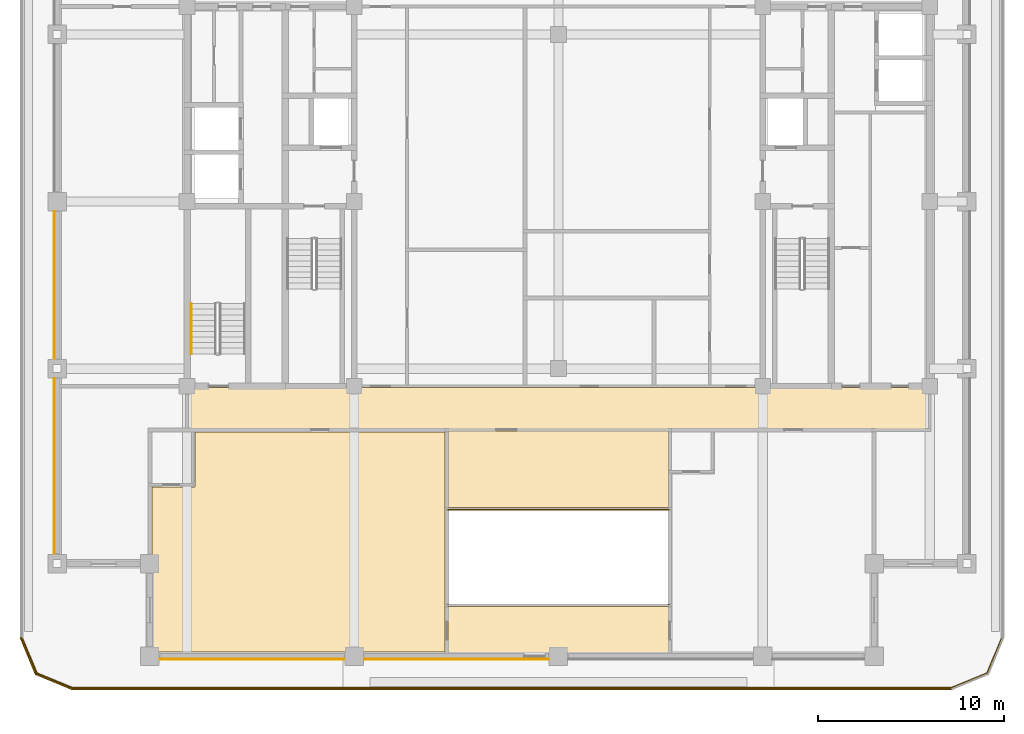
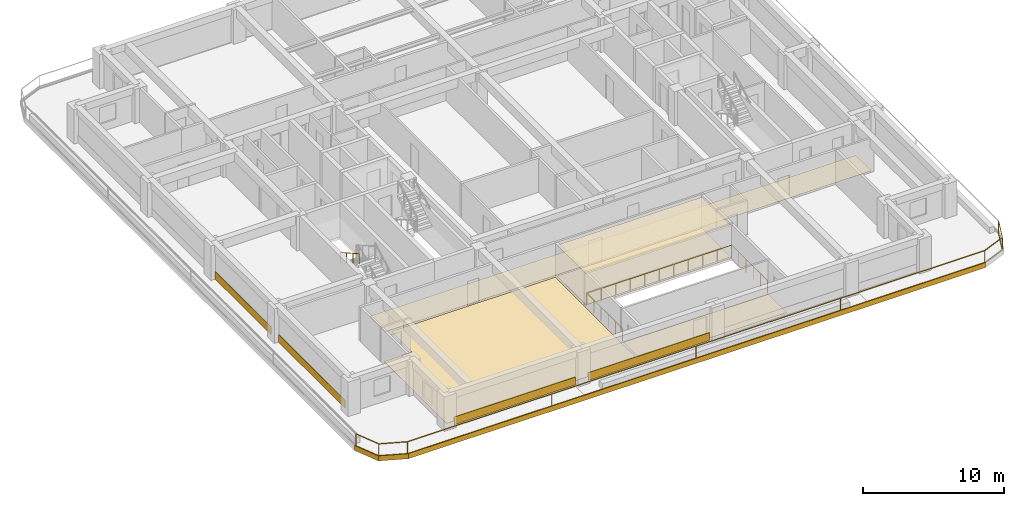
# One storey, part 7 of 13: 12 coverings, 3 railings.
"""IFC4 building model written with IfcOpenShell, lengths in metres."""

from ifc_helpers import new_model, si_unit, direction, frame, frame_2d, origin, origin_2d, place, context, subcontext, project, spatial, polyline, rectangle, outline, extrude, material, layer, layer_set, type_object, element, save


model = new_model("IFC4")

# Units and contexts
model_context = context("Model", 3, precision=1e-05, world=origin(), true_north=direction((0.0, 1.0)))
body_context = subcontext(model_context, "Body", "Model", "MODEL_VIEW")
ifc_project = project(units=[si_unit("LENGTHUNIT", "METRE"), si_unit("AREAUNIT", "SQUARE_METRE"), si_unit("VOLUMEUNIT", "CUBIC_METRE"), si_unit("PLANEANGLEUNIT", "RADIAN"), si_unit("MASSUNIT", "GRAM", prefix="KILO")], contexts=[model_context])

# Site, building, storey
site_placement = place(None, origin())
site = spatial("IfcSite", under=ifc_project, at=site_placement, CompositionType="ELEMENT")
building_placement = place(site_placement, origin())
building = spatial("IfcBuilding", under=site, at=building_placement, Name="Zulmaris Gate Convention Tower", CompositionType="ELEMENT")
storey_placement = place(building_placement, frame((0.0, 0.0, 218.659912109375)))
storey = spatial("IfcBuildingStorey", under=building, at=storey_placement, Name="L57", CompositionType="ELEMENT", Elevation=218.659912109375)

# Coverings
ifc_material_1 = material(Name="Precast concrete C40/50", Category="concrete")
ifc_layer_1 = layer(ifc_material_1, 0.0400390625, Name="Precast concrete C40/50")
ifc_layer_set_1 = layer_set([ifc_layer_1], Name="Precast concrete C40/50")
covering_type_1 = type_object("IfcCoveringType", Name="CLAD-SPANDREL-PRECAST", PredefinedType="CLADDING", material=ifc_layer_set_1)
for number, where, z_axis, x_axis, name in (
    (1, (-21.469970703125, -24.64990234375, 0.0), (0.0, 0.0, 1.0), (1.0, 0.0, 0.0), "CLD-L57-S-0_0"),
    (2, (-10.469970703125, -24.64990234375, 0.0), (0.0, 0.0, 1.0), (1.0, 0.0, 0.0), "CLD-L57-S-1_0"),
):
    element("IfcCovering", number, at=place(storey_placement, frame(where, z_axis=z_axis, x_axis=x_axis)), inside=storey, type_object=covering_type_1, Name=name, PredefinedType="CLADDING", context=body_context, shape_type="SweptSolid", body=[
        extrude(rectangle(XDim=9.93994140625, YDim=0.0400390625, at=frame_2d((4.969970703125, 0.0))), origin(), (0.0, 0.0, 1.0), 0.679931640625),
    ])
covering_1_placement = place(storey_placement, frame((-27.14990234375, -9.530029296875, 0.0), z_axis=(0.0, 0.0, 1.0), x_axis=(0.0, -1.0, 0.0)))
element("IfcCovering", 3, at=covering_1_placement, inside=storey, type_object=covering_type_1, Name="CLD-L57-W-0_0", PredefinedType="CLADDING", context=body_context, shape_type="SweptSolid", body=[
    extrude(rectangle(XDim=9.43994140625, YDim=0.0400390625, at=frame_2d((4.719970703125, 0.0))), origin(), (0.0, 0.0, 1.0), 0.679931640625),
])
covering_2_placement = place(storey_placement, frame((-27.14990234375, -0.530029296875, 0.0), z_axis=(0.0, 0.0, 1.0), x_axis=(0.0, -1.0, 0.0)))
element("IfcCovering", 4, at=covering_2_placement, inside=storey, type_object=covering_type_1, Name="CLD-L57-W-1_0", PredefinedType="CLADDING", context=body_context, shape_type="SweptSolid", body=[
    extrude(rectangle(XDim=7.93994140625, YDim=0.0400390625, at=frame_2d((3.969970703125, 0.0))), origin(), (0.0, 0.0, 1.0), 0.679931640625),
])
ifc_material_2 = material(Name="White Glazed Architectural Precast Concrete C40/50", Category="concrete")
ifc_layer_2 = layer(ifc_material_2, 0.080078125, Name="White Glazed Architectural Precast Concrete C40/50")
ifc_layer_set_2 = layer_set([ifc_layer_2], Name="White Glazed Architectural Precast Concrete C40/50")
covering_type_2 = type_object("IfcCoveringType", Name="CLAD-TRAY-FASCIA", PredefinedType="CLADDING", material=ifc_layer_set_2)
covering_3_placement = place(storey_placement, frame((-28.962890625, -23.484619140625, -0.2900390625), z_axis=(0.0, 0.0, 1.0), x_axis=(0.382656984709, -0.923890487046, 0.0)))
element("IfcCovering", 5, at=covering_3_placement, inside=storey, type_object=covering_type_2, Name="FSC-L57-TR-00", PredefinedType="CLADDING", context=body_context, shape_type="SweptSolid", body=[
    extrude(rectangle(XDim=2.14306640625, YDim=0.080078125, at=frame_2d((1.071533203125, 0.0))), origin(), (0.0, 0.0, 1.0), 0.43994140625),
])
covering_4_placement = place(storey_placement, frame((-28.16455078125, -25.44287109375, -0.2900390625), z_axis=(0.0, 0.0, 1.0), x_axis=(0.923873803533, -0.382697263049, 0.0)))
element("IfcCovering", 6, at=covering_4_placement, inside=storey, type_object=covering_type_2, Name="FSC-L57-TR-01", PredefinedType="CLADDING", context=body_context, shape_type="SweptSolid", body=[
    extrude(rectangle(XDim=2.142822265625, YDim=0.080078125, at=frame_2d((1.0712890625, 0.0))), origin(), (0.0, 0.0, 1.0), 0.43994140625),
])
covering_5_placement = place(storey_placement, frame((-26.199951171875, -26.260009765625, -0.2900390625), z_axis=(0.0, 0.0, 1.0), x_axis=(1.0, 0.0, 0.0)))
element("IfcCovering", 7, at=covering_5_placement, inside=storey, type_object=covering_type_2, Name="FSC-L57-TR-02", PredefinedType="CLADDING", context=body_context, shape_type="SweptSolid", body=[
    extrude(rectangle(XDim=47.39990234375, YDim=0.080078125, at=frame_2d((23.699951171875, 0.0))), origin(), (0.0, 0.0, 1.0), 0.43994140625),
])
ifc_material_3 = material(Name="Mineral Fibre Acoustic Ceiling Tile")
ifc_layer_3 = layer(ifc_material_3, 0.02001953125, Name="Mineral Fibre Acoustic Ceiling Tile")
ifc_layer_set_3 = layer_set([ifc_layer_3], Name="Mineral Fibre Acoustic Ceiling Tile")
covering_type_3 = type_object("IfcCoveringType", Name="CLG-ACOUSTIC-600", PredefinedType="CEILING", material=ifc_layer_set_3)
covering_6_placement = place(storey_placement, frame((0.0, 0.0, 2.695068359375)))
element("IfcCovering", 8, at=covering_6_placement, inside=storey, type_object=covering_type_3, Name="CLG-L57-R43", PredefinedType="CEILING", context=body_context, shape_type="SweptSolid", body=[
    extrude(outline(polyline([(-5.93994140625, -16.489990234375), (5.93994140625, -16.489990234375), (5.93994140625, -12.360107421875), (-5.93994140625, -12.360107421875), (-5.93994140625, -16.489990234375)])), origin(), (0.0, 0.0, 1.0), 0.02001953125),
])
ifc_material_4 = material(Name="Woven Acoustic Wool Carpet Tile")
ifc_layer_4 = layer(ifc_material_4, 0.02001953125, Name="Woven Acoustic Wool Carpet Tile")
ifc_layer_set_4 = layer_set([ifc_layer_4], Name="Woven Acoustic Wool Carpet Tile")
covering_type_4 = type_object("IfcCoveringType", Name="FLR-CARPET-12", PredefinedType="FLOORING", material=ifc_layer_set_4)
covering_7_placement = place(storey_placement, origin())
element("IfcCovering", 9, at=covering_7_placement, inside=storey, type_object=covering_type_4, Name="FLR-L57-R33", PredefinedType="FLOORING", context=body_context, shape_type="SweptSolid", body=[
    extrude(outline(polyline([(-19.93994140625, -12.239990234375), (19.93994140625, -12.239990234375), (19.93994140625, -10.010009765625), (-19.93994140625, -10.010009765625), (-19.93994140625, -12.239990234375)])), origin(), (0.0, 0.0, 1.0), 0.02001953125),
])
ifc_material_5 = material(Name="Engineered Teak Parquet Flooring")
ifc_layer_5 = layer(ifc_material_5, 0.02001953125, Name="Engineered Teak Parquet Flooring")
ifc_layer_set_5 = layer_set([ifc_layer_5], Name="Engineered Teak Parquet Flooring")
covering_type_5 = type_object("IfcCoveringType", Name="FLR-TIMBER-18", PredefinedType="FLOORING", material=ifc_layer_set_5)
covering_8_placement = place(storey_placement, origin())
element("IfcCovering", 10, at=covering_8_placement, inside=storey, type_object=covering_type_5, Name="FLR-L57-R42", PredefinedType="FLOORING", context=body_context, shape_type="SweptSolid", body=[
    extrude(outline(polyline([(-5.93994140625, -24.43994140625), (5.93994140625, -24.43994140625), (5.93994140625, -21.81005859375), (-5.93994140625, -21.81005859375), (-5.93994140625, -24.43994140625)])), origin(), (0.0, 0.0, 1.0), 0.02001953125),
])
covering_9_placement = place(storey_placement, origin())
element("IfcCovering", 11, at=covering_9_placement, inside=storey, type_object=covering_type_5, Name="FLR-L57-R43", PredefinedType="FLOORING", context=body_context, shape_type="SweptSolid", body=[
    extrude(outline(polyline([(-5.93994140625, -16.489990234375), (5.93994140625, -16.489990234375), (5.93994140625, -12.360107421875), (-5.93994140625, -12.360107421875), (-5.93994140625, -16.489990234375)])), origin(), (0.0, 0.0, 1.0), 0.02001953125),
])
covering_10_placement = place(storey_placement, origin())
element("IfcCovering", 12, at=covering_10_placement, inside=storey, type_object=covering_type_5, Name="FLR-L57-R45", PredefinedType="FLOORING", context=body_context, shape_type="SweptSolid", body=[
    extrude(outline(polyline([(-21.8798828125, -24.260009765625), (-6.1201171875, -24.260009765625), (-6.1201171875, -12.419921875), (-19.580078125, -12.419921875), (-19.580078125, -15.3701171875), (-21.8798828125, -15.3701171875), (-21.8798828125, -24.260009765625)])), origin(), (0.0, 0.0, 1.0), 0.02001953125),
])

# Railings
ifc_material_6 = material(Name="Laminated Glass and Stainless Steel", Category="steel")
railing_type_1 = type_object("IfcRailingType", Name="RL-BALC-1150", PredefinedType="BALUSTRADE", material=ifc_material_6)
railing_1_placement = place(storey_placement, frame((-28.8798828125, -23.5, -0.010009765625)))
element("IfcRailing", 13, at=railing_1_placement, inside=storey, type_object=railing_type_1, Name="RL-L57-BALC-S", PredefinedType="BALUSTRADE", context=body_context, shape_type="SweptSolid", body=[
    extrude(rectangle(XDim=0.048095703125, YDim=0.048095703125, at=origin_2d()), frame((0.0, 0.0, 1.1259765625), z_axis=(0.382670664694, -0.92388482095, 0.0), x_axis=(0.92388482095, 0.382670664694, 0.0)), (0.0, 0.0, 1.0), 2.051025390625),
    extrude(rectangle(XDim=0.048095703125, YDim=0.048095703125, at=origin_2d()), frame((0.0, 0.0, 0.02392578125), z_axis=(0.382670664694, -0.92388482095, 0.0), x_axis=(0.92388482095, 0.382670664694, 0.0)), (0.0, 0.0, 1.0), 2.051025390625),
    extrude(rectangle(XDim=0.048095703125, YDim=0.048095703125, at=origin_2d()), frame((0.784912109375, -1.89501953125, 1.1259765625), z_axis=(0.92388482095, -0.382670664694, 0.0), x_axis=(0.382670664694, 0.92388482095, 0.0)), (0.0, 0.0, 1.0), 2.051025390625),
    extrude(rectangle(XDim=0.048095703125, YDim=0.048095703125, at=origin_2d()), frame((0.784912109375, -1.89501953125, 0.02392578125), z_axis=(0.92388482095, -0.382670664694, 0.0), x_axis=(0.382670664694, 0.92388482095, 0.0)), (0.0, 0.0, 1.0), 2.051025390625),
    extrude(rectangle(XDim=0.048095703125, YDim=0.048095703125, at=origin_2d()), frame((2.679931640625, -2.679931640625, 1.1259765625), z_axis=(1.0, 0.0, 0.0), x_axis=(0.0, 1.0, 0.0)), (0.0, 0.0, 1.0), 47.39990234375),
    extrude(rectangle(XDim=0.048095703125, YDim=0.048095703125, at=origin_2d()), frame((2.679931640625, -2.679931640625, 0.02392578125), z_axis=(1.0, 0.0, 0.0), x_axis=(0.0, 1.0, 0.0)), (0.0, 0.0, 1.0), 47.39990234375),
    extrude(rectangle(XDim=0.048095703125, YDim=0.048095703125, at=origin_2d()), frame((50.079833984375, -2.679931640625, 1.1259765625), z_axis=(0.92388482095, 0.382670664694, 0.0), x_axis=(-0.382670664694, 0.92388482095, 0.0)), (0.0, 0.0, 1.0), 2.051025390625),
    extrude(rectangle(XDim=0.048095703125, YDim=0.048095703125, at=origin_2d()), frame((50.079833984375, -2.679931640625, 0.02392578125), z_axis=(0.92388482095, 0.382670664694, 0.0), x_axis=(-0.382670664694, 0.92388482095, 0.0)), (0.0, 0.0, 1.0), 2.051025390625),
    extrude(rectangle(XDim=0.048095703125, YDim=0.048095703125, at=origin_2d()), frame((51.974853515625, -1.89501953125, 1.1259765625), z_axis=(0.382670664694, 0.92388482095, 0.0), x_axis=(-0.92388482095, 0.382670664694, 0.0)), (0.0, 0.0, 1.0), 2.051025390625),
    extrude(rectangle(XDim=0.048095703125, YDim=0.048095703125, at=origin_2d()), frame((51.974853515625, -1.89501953125, 0.02392578125), z_axis=(0.382670664694, 0.92388482095, 0.0), x_axis=(-0.92388482095, 0.382670664694, 0.0)), (0.0, 0.0, 1.0), 2.051025390625),
    extrude(rectangle(XDim=0.0419921875, YDim=0.0419921875, at=origin_2d()), origin(), (0.0, 0.0, 1.0), 1.101806640625),
    extrude(rectangle(XDim=0.0419921875, YDim=0.0419921875, at=origin_2d()), frame((0.784912109375, -1.89501953125, 0.0)), (0.0, 0.0, 1.0), 1.101806640625),
    extrude(rectangle(XDim=0.0419921875, YDim=0.0419921875, at=origin_2d()), frame((2.679931640625, -2.679931640625, 0.0)), (0.0, 0.0, 1.0), 1.101806640625),
    extrude(rectangle(XDim=0.0419921875, YDim=0.0419921875, at=origin_2d()), frame((14.52978515625, -2.679931640625, 0.0)), (0.0, 0.0, 1.0), 1.101806640625),
    extrude(rectangle(XDim=0.0419921875, YDim=0.0419921875, at=origin_2d()), frame((26.3798828125, -2.679931640625, 0.0)), (0.0, 0.0, 1.0), 1.101806640625),
    extrude(rectangle(XDim=0.0419921875, YDim=0.0419921875, at=origin_2d()), frame((38.22998046875, -2.679931640625, 0.0)), (0.0, 0.0, 1.0), 1.101806640625),
    extrude(rectangle(XDim=0.0419921875, YDim=0.0419921875, at=origin_2d()), frame((50.079833984375, -2.679931640625, 0.0)), (0.0, 0.0, 1.0), 1.101806640625),
    extrude(rectangle(XDim=0.0419921875, YDim=0.0419921875, at=origin_2d()), frame((51.974853515625, -1.89501953125, 0.0)), (0.0, 0.0, 1.0), 1.101806640625),
    extrude(rectangle(XDim=0.0419921875, YDim=0.0419921875, at=origin_2d()), frame((52.759765625, 0.0, 0.0)), (0.0, 0.0, 1.0), 1.101806640625),
])
ifc_material_7 = material(Name="Painted Galvanised Steel", Category="steel")
railing_type_2 = type_object("IfcRailingType", Name="RL-GUARD-1150", PredefinedType="GUARDRAIL", material=ifc_material_7)
railing_2_placement = place(storey_placement, frame((-5.949951171875, -21.699951171875, 0.0)))
element("IfcRailing", 14, at=railing_2_placement, inside=storey, type_object=railing_type_2, Name="RL-L57-SKYGARDEN-VOID", PredefinedType="GUARDRAIL", context=body_context, shape_type="SweptSolid", body=[
    extrude(rectangle(XDim=0.048095703125, YDim=0.048095703125, at=origin_2d()), frame((0.0, 0.0, 1.1259765625), z_axis=(0.0, 1.0, 0.0), x_axis=(-1.0, 0.0, 0.0)), (0.0, 0.0, 1.0), 5.099853515625),
    extrude(rectangle(XDim=0.048095703125, YDim=0.048095703125, at=origin_2d()), frame((0.0, 5.099853515625, 1.1259765625), z_axis=(1.0, 0.0, 0.0), x_axis=(0.0, 1.0, 0.0)), (0.0, 0.0, 1.0), 11.89990234375),
    extrude(rectangle(XDim=0.048095703125, YDim=0.048095703125, at=origin_2d()), frame((11.89990234375, 5.099853515625, 1.1259765625), z_axis=(0.0, -1.0, 0.0), x_axis=(1.0, 0.0, 0.0)), (0.0, 0.0, 1.0), 5.099853515625),
    extrude(rectangle(XDim=0.0419921875, YDim=0.0419921875, at=origin_2d()), origin(), (0.0, 0.0, 1.0), 1.101806640625),
    extrude(rectangle(XDim=0.0419921875, YDim=0.0419921875, at=origin_2d()), frame((0.0, 1.02001953125, 0.0)), (0.0, 0.0, 1.0), 1.101806640625),
    extrude(rectangle(XDim=0.0419921875, YDim=0.0419921875, at=origin_2d()), frame((0.0, 2.0400390625, 0.0)), (0.0, 0.0, 1.0), 1.101806640625),
    extrude(rectangle(XDim=0.0419921875, YDim=0.0419921875, at=origin_2d()), frame((0.0, 3.059814453125, 0.0)), (0.0, 0.0, 1.0), 1.101806640625),
    extrude(rectangle(XDim=0.0419921875, YDim=0.0419921875, at=origin_2d()), frame((0.0, 4.079833984375, 0.0)), (0.0, 0.0, 1.0), 1.101806640625),
    extrude(rectangle(XDim=0.0419921875, YDim=0.0419921875, at=origin_2d()), frame((0.0, 5.099853515625, 0.0)), (0.0, 0.0, 1.0), 1.101806640625),
    extrude(rectangle(XDim=0.0419921875, YDim=0.0419921875, at=origin_2d()), frame((1.18994140625, 5.099853515625, 0.0)), (0.0, 0.0, 1.0), 1.101806640625),
    extrude(rectangle(XDim=0.0419921875, YDim=0.0419921875, at=origin_2d()), frame((2.3798828125, 5.099853515625, 0.0)), (0.0, 0.0, 1.0), 1.101806640625),
    extrude(rectangle(XDim=0.0419921875, YDim=0.0419921875, at=origin_2d()), frame((3.570068359375, 5.099853515625, 0.0)), (0.0, 0.0, 1.0), 1.101806640625),
    extrude(rectangle(XDim=0.0419921875, YDim=0.0419921875, at=origin_2d()), frame((4.760009765625, 5.099853515625, 0.0)), (0.0, 0.0, 1.0), 1.101806640625),
    extrude(rectangle(XDim=0.0419921875, YDim=0.0419921875, at=origin_2d()), frame((5.949951171875, 5.099853515625, 0.0)), (0.0, 0.0, 1.0), 1.101806640625),
    extrude(rectangle(XDim=0.0419921875, YDim=0.0419921875, at=origin_2d()), frame((7.139892578125, 5.099853515625, 0.0)), (0.0, 0.0, 1.0), 1.101806640625),
    extrude(rectangle(XDim=0.0419921875, YDim=0.0419921875, at=origin_2d()), frame((8.329833984375, 5.099853515625, 0.0)), (0.0, 0.0, 1.0), 1.101806640625),
    extrude(rectangle(XDim=0.0419921875, YDim=0.0419921875, at=origin_2d()), frame((9.52001953125, 5.099853515625, 0.0)), (0.0, 0.0, 1.0), 1.101806640625),
    extrude(rectangle(XDim=0.0419921875, YDim=0.0419921875, at=origin_2d()), frame((10.7099609375, 5.099853515625, 0.0)), (0.0, 0.0, 1.0), 1.101806640625),
    extrude(rectangle(XDim=0.0419921875, YDim=0.0419921875, at=origin_2d()), frame((11.89990234375, 5.099853515625, 0.0)), (0.0, 0.0, 1.0), 1.101806640625),
    extrude(rectangle(XDim=0.0419921875, YDim=0.0419921875, at=origin_2d()), frame((11.89990234375, 4.079833984375, 0.0)), (0.0, 0.0, 1.0), 1.101806640625),
    extrude(rectangle(XDim=0.0419921875, YDim=0.0419921875, at=origin_2d()), frame((11.89990234375, 3.059814453125, 0.0)), (0.0, 0.0, 1.0), 1.101806640625),
    extrude(rectangle(XDim=0.0419921875, YDim=0.0419921875, at=origin_2d()), frame((11.89990234375, 2.0400390625, 0.0)), (0.0, 0.0, 1.0), 1.101806640625),
    extrude(rectangle(XDim=0.0419921875, YDim=0.0419921875, at=origin_2d()), frame((11.89990234375, 1.02001953125, 0.0)), (0.0, 0.0, 1.0), 1.101806640625),
    extrude(rectangle(XDim=0.0419921875, YDim=0.0419921875, at=origin_2d()), frame((11.89990234375, 0.0, 0.0)), (0.0, 0.0, 1.0), 1.101806640625),
])
ifc_material_8 = material(Name="Brushed Stainless Steel", Category="steel")
railing_type_3 = type_object("IfcRailingType", Name="RL-STH-900", PredefinedType="HANDRAIL", material=ifc_material_8)
railing_3_placement = place(storey_placement, frame((-19.77001953125, -5.5, 1.8701171875)))
element("IfcRailing", 15, at=railing_3_placement, inside=storey, type_object=railing_type_3, Name="L57 ST-3 stair handrail 2", PredefinedType="HANDRAIL", context=body_context, shape_type="SweptSolid", body=[
    extrude(rectangle(XDim=0.048095703125, YDim=0.048095703125, at=origin_2d()), frame((0.0, 0.0, 0.8759765625), z_axis=(0.0, -0.870014312096, 0.49302646658), x_axis=(1.0, 0.0, 0.0)), (0.0, 0.0, 1.0), 3.103271484375),
    extrude(rectangle(XDim=0.0419921875, YDim=0.0419921875, at=origin_2d()), origin(), (0.0, 0.0, 1.0), 0.851806640625),
    extrude(rectangle(XDim=0.0419921875, YDim=0.0419921875, at=origin_2d()), frame((0.0, -0.89990234375, 0.510009765625)), (0.0, 0.0, 1.0), 0.851806640625),
    extrude(rectangle(XDim=0.0419921875, YDim=0.0419921875, at=origin_2d()), frame((0.0, -1.800048828125, 1.02001953125)), (0.0, 0.0, 1.0), 0.851806640625),
    extrude(rectangle(XDim=0.0419921875, YDim=0.0419921875, at=origin_2d()), frame((0.0, -2.699951171875, 1.530029296875)), (0.0, 0.0, 1.0), 0.851806640625),
])

save(model, "model.ifc")
